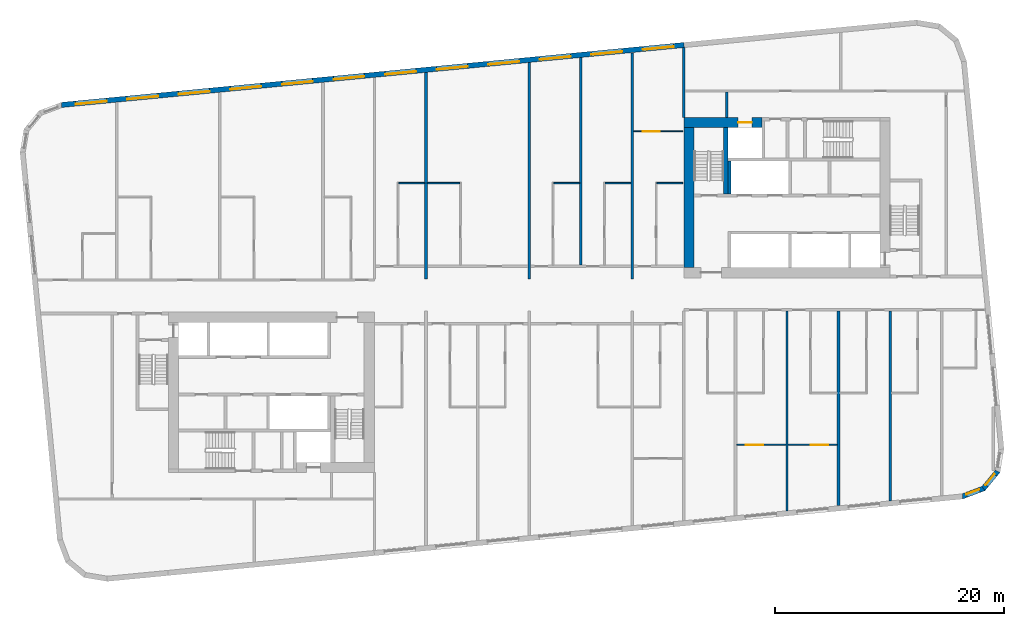
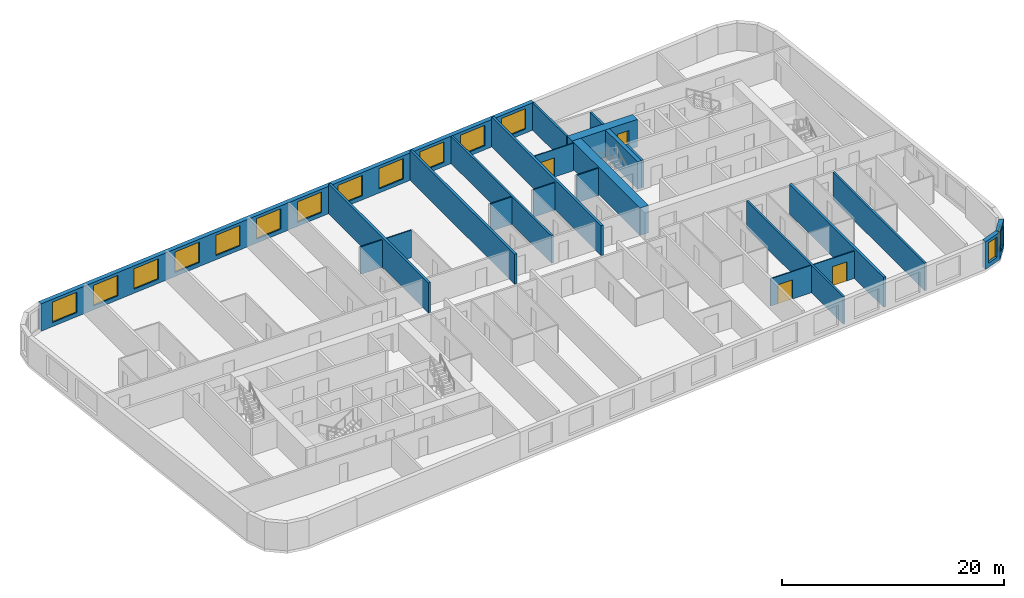
# One storey, part 6 of 12: 24 walls, 14 windows, 4 doors, 18 openings.
"""IFC4 building model written with IfcOpenShell, lengths in metres."""

from ifc_helpers import new_model, si_unit, direction, frame, frame_2d, origin, place, context, subcontext, project, spatial, polyline, rectangle, outline, extrude, material, layer, layer_set, type_object, element, fill, save


model = new_model("IFC4")

# Units and contexts
model_context = context("Model", 3, precision=1e-05, world=origin(), true_north=direction((0.0, 1.0)))
body_context = subcontext(model_context, "Body", "Model", "MODEL_VIEW")
ifc_project = project(units=[si_unit("LENGTHUNIT", "METRE"), si_unit("AREAUNIT", "SQUARE_METRE"), si_unit("VOLUMEUNIT", "CUBIC_METRE"), si_unit("PLANEANGLEUNIT", "RADIAN"), si_unit("MASSUNIT", "GRAM", prefix="KILO")], contexts=[model_context])

# Site, building, storey
site_placement = place(None, origin())
site = spatial("IfcSite", under=ifc_project, at=site_placement, CompositionType="ELEMENT")
building_placement = place(site_placement, origin())
building = spatial("IfcBuilding", under=site, at=building_placement, Name="Kajstack Hotel Tower", CompositionType="ELEMENT")
storey_placement = place(building_placement, frame((0.0, 0.0, 193.300048828125)))
storey = spatial("IfcBuildingStorey", under=building, at=storey_placement, Name="L46", CompositionType="ELEMENT", Elevation=193.300048828125)

# Wall, opening, door
ifc_material_1 = material(Name="Concrete C60/75", Category="concrete")
ifc_layer_1 = layer(ifc_material_1, 0.89990234375)
ifc_layer_set_1 = layer_set([ifc_layer_1], Name="Core wall 900")
wall_type_1 = type_object("IfcWallType", Name="Core wall 900", PredefinedType="SHEAR", material=ifc_layer_set_1)
wall_1_placement = place(storey_placement, frame((13.5, 15.050048828125, 0.0), z_axis=(0.0, 0.0, 1.0), x_axis=(1.0, 0.0, 0.0)))
wall_1 = element("IfcWall", 1, at=wall_1_placement, inside=storey, type_object=wall_type_1, Name="Core wall E RS", PredefinedType="SHEAR", context=body_context, shape_type="SweptSolid", body=[
    extrude(rectangle(XDim=6.800048828125, YDim=0.89990234375, at=frame_2d((3.39990234375, 0.0))), origin(), (0.0, 0.0, 1.0), 3.02001953125),
])
opening_1_placement = place(wall_1_placement, frame((4.72509765625, 0.0, 0.0)))
opening_1 = element("IfcOpeningElement", 2, at=opening_1_placement, cuts=wall_1, Name="Opening LD-SV2", PredefinedType="OPENING", context=body_context, shape_type="SweptSolid", body=[
    extrude(rectangle(XDim=1.199951171875, YDim=2.10009765625, at=frame_2d((0.60009765625, 1.050048828125))), frame((0.0, 0.4599609375, 0.0), z_axis=(0.0, -1.0, 0.0), x_axis=(1.0, 0.0, 0.0)), (0.0, 0.0, 1.0), 0.919921875),
])
ifc_material_2 = material(Name="Stainless steel", Category="steel")
door_type_1 = type_object("IfcDoorType", Name="Lift landing door 1200", OperationType="SLIDING_TO_LEFT", PredefinedType="DOOR", material=ifc_material_2)
door_1_placement = place(opening_1_placement, origin())
door_1 = element("IfcDoor", 3, at=door_1_placement, inside=storey, type_object=door_type_1, Name="Landing door SV2", OperationType="SLIDING_TO_LEFT", OverallHeight=2.10009765625, OverallWidth=1.199951171875, PredefinedType="DOOR", context=body_context, shape_type="SweptSolid", body=[
    extrude(rectangle(XDim=1.199951171875, YDim=2.10009765625, at=frame_2d((0.60009765625, 1.050048828125))), frame((0.0, 0.02490234375, 0.0), z_axis=(0.0, -1.0, 0.0), x_axis=(1.0, 0.0, 0.0)), (0.0, 0.0, 1.0), 0.050048828125),
])
fill(opening_1, door_1)

# Walls
wall_2_placement = place(storey_placement, frame((13.949951171875, 2.39990234375, 0.0), z_axis=(0.0, 0.0, 1.0), x_axis=(0.0, 1.0, 0.0)))
element("IfcWall", 4, at=wall_2_placement, inside=storey, type_object=wall_type_1, Name="Core wall E RE", PredefinedType="SHEAR", context=body_context, shape_type="SweptSolid", body=[
    extrude(rectangle(XDim=12.2001953125, YDim=0.89990234375, at=frame_2d((6.10009765625, 0.0))), origin(), (0.0, 0.0, 1.0), 3.02001953125),
])
ifc_material_3 = material(Name="Twin-frame gypsum board on steel studs, mineral wool", Category="steel")
ifc_layer_2 = layer(ifc_material_3, 0.199951171875)
ifc_layer_set_2 = layer_set([ifc_layer_2], Name="Demising wall 200")
wall_type_2 = type_object("IfcWallType", Name="Demising wall 200", PredefinedType="PARTITIONING", material=ifc_layer_set_2)
wall_3_placement = place(storey_placement, frame((13.5, 15.5, 0.0), z_axis=(0.0, 0.0, 1.0), x_axis=(0.0, 1.0, 0.0)))
element("IfcWall", 5, at=wall_3_placement, inside=storey, type_object=wall_type_2, Name="G-wall-L46-001", PredefinedType="PARTITIONING", context=body_context, shape_type="SweptSolid", body=[
    extrude(rectangle(XDim=6.089111328125, YDim=0.199951171875, at=frame_2d((3.04443359375, 0.0))), origin(), (0.0, 0.0, 1.0), 3.02001953125),
])
wall_4_placement = place(storey_placement, frame((4.5, 2.60009765625, 0.0), z_axis=(0.0, 0.0, 1.0), x_axis=(0.0, 1.0, 0.0)))
element("IfcWall", 6, at=wall_4_placement, inside=storey, type_object=wall_type_2, Name="G-wall-L46-018", PredefinedType="PARTITIONING", context=body_context, shape_type="SweptSolid", body=[
    extrude(rectangle(XDim=18.122802734375, YDim=0.199951171875, at=frame_2d((9.0615234375, 0.0))), origin(), (0.0, 0.0, 1.0), 3.02001953125),
])
wall_5_placement = place(storey_placement, frame((22.5, -18.833984375, 0.0), z_axis=(0.0, 0.0, 1.0), x_axis=(0.0, 1.0, 0.0)))
element("IfcWall", 7, at=wall_5_placement, inside=storey, type_object=wall_type_2, Name="G-wall-L46-043", PredefinedType="PARTITIONING", context=body_context, shape_type="SweptSolid", body=[
    extrude(rectangle(XDim=17.43408203125, YDim=0.199951171875, at=frame_2d((8.717041015625, 0.0))), origin(), (0.0, 0.0, 1.0), 3.02001953125),
])
wall_6_placement = place(storey_placement, frame((31.5, -17.967041015625, 0.0), z_axis=(0.0, 0.0, 1.0), x_axis=(0.0, 1.0, 0.0)))
element("IfcWall", 8, at=wall_6_placement, inside=storey, type_object=wall_type_2, Name="G-wall-L46-050", PredefinedType="PARTITIONING", context=body_context, shape_type="SweptSolid", body=[
    extrude(rectangle(XDim=16.567138671875, YDim=0.199951171875, at=frame_2d((8.28369140625, 0.0))), origin(), (0.0, 0.0, 1.0), 3.02001953125),
])

# Wall, opening, window
ifc_material_4 = material(Name="Terracotta-faced brick masonry", Category="masonry")
ifc_layer_3 = layer(ifc_material_4, 0.449951171875)
ifc_layer_set_3 = layer_set([ifc_layer_3], Name="EW-TERRA")
wall_type_3 = type_object("IfcWallType", Name="EW-TERRA", PredefinedType="SOLIDWALL", material=ifc_layer_set_3)
wall_7_placement = place(storey_placement, frame((37.76123046875, -17.598388671875, 0.0), z_axis=(0.0, 0.0, 1.0), x_axis=(0.936677599948, 0.350192909346, 0.0)))
wall_7 = element("IfcWall", 9, at=wall_7_placement, inside=storey, type_object=wall_type_3, Name="E-wall-L46-05-00", PredefinedType="SOLIDWALL", context=body_context, shape_type="SweptSolid", body=[
    extrude(outline(polyline([(0.0, -0.22509765625), (2.070556640625, -0.224853515625), (1.949951171875, 0.22509765625), (0.12060546875, 0.22509765625), (0.0, -0.22509765625)])), origin(), (0.0, 0.0, 1.0), 3.02001953125),
])
opening_2_placement = place(wall_7_placement, frame((0.435302734375, 0.0, 0.449951171875)))
opening_2 = element("IfcOpeningElement", 10, at=opening_2_placement, cuts=wall_7, Name="Opening W3", PredefinedType="OPENING", context=body_context, shape_type="SweptSolid", body=[
    extrude(rectangle(XDim=1.199951171875, YDim=2.25, at=frame_2d((0.60009765625, 1.125))), frame((0.0, 0.23486328125, 0.0), z_axis=(0.0, -1.0, 0.0), x_axis=(1.0, 0.0, 0.0)), (0.0, 0.0, 1.0), 0.469970703125),
])
ifc_material_5 = material(Name="Timber-aluminium window, triple glazed", Category="wood")
window_type_1 = type_object("IfcWindowType", Name="WG3", PartitioningType="SINGLE_PANEL", PredefinedType="WINDOW", material=ifc_material_5)
window_1_placement = place(opening_2_placement, origin())
window_1 = element("IfcWindow", 11, at=window_1_placement, inside=storey, type_object=window_type_1, Name="Window W3 L46-05", OverallHeight=2.25, OverallWidth=1.199951171875, PartitioningType="SINGLE_PANEL", PredefinedType="WINDOW", context=body_context, shape_type="SweptSolid", body=[
    extrude(rectangle(XDim=1.199951171875, YDim=2.25, at=frame_2d((0.60009765625, 1.125))), frame((0.0, 0.090087890625, 0.0), z_axis=(0.0, -1.0, 0.0), x_axis=(1.0, 0.0, 0.0)), (0.0, 0.0, 1.0), 0.06005859375),
])
fill(opening_2, window_1)

wall_8_placement = place(storey_placement, frame((39.60595703125, -16.94091796875, 0.0), z_axis=(0.0, 0.0, 1.0), x_axis=(0.636116318187, 0.771593176315, 0.0)))
wall_8 = element("IfcWall", 12, at=wall_8_placement, inside=storey, type_object=wall_type_3, Name="E-wall-L46-06-00", PredefinedType="SOLIDWALL", context=body_context, shape_type="SweptSolid", body=[
    extrude(outline(polyline([(0.0, -0.224853515625), (2.070556640625, -0.224853515625), (1.949951171875, 0.22509765625), (0.12060546875, 0.22509765625), (0.0, -0.224853515625)])), origin(), (0.0, 0.0, 1.0), 3.02001953125),
])
opening_3_placement = place(wall_8_placement, frame((0.435302734375, 0.0, 0.449951171875)))
opening_3 = element("IfcOpeningElement", 13, at=opening_3_placement, cuts=wall_8, Name="Opening W3", PredefinedType="OPENING", context=body_context, shape_type="SweptSolid", body=[
    extrude(rectangle(XDim=1.199951171875, YDim=2.25, at=frame_2d((0.60009765625, 1.125))), frame((0.0, 0.23486328125, 0.0), z_axis=(0.0, -1.0, 0.0), x_axis=(1.0, 0.0, 0.0)), (0.0, 0.0, 1.0), 0.469970703125),
])
window_2_placement = place(opening_3_placement, origin())
window_2 = element("IfcWindow", 14, at=window_2_placement, inside=storey, type_object=window_type_1, Name="Window W3 L46-06", OverallHeight=2.25, OverallWidth=1.199951171875, PartitioningType="SINGLE_PANEL", PredefinedType="WINDOW", context=body_context, shape_type="SweptSolid", body=[
    extrude(rectangle(XDim=1.199951171875, YDim=2.25, at=frame_2d((0.60009765625, 1.125))), frame((0.0, 0.090087890625, 0.0), z_axis=(0.0, -1.0, 0.0), x_axis=(1.0, 0.0, 0.0)), (0.0, 0.0, 1.0), 0.06005859375),
])
fill(opening_3, window_2)

# Wall, openings, windows
wall_9_placement = place(storey_placement, frame((13.521484375, 21.8173828125, 0.0), z_axis=(0.0, 0.0, 1.0), x_axis=(-0.995396508751, -0.095842529008, 0.0)))
wall_9 = element("IfcWall", 15, at=wall_9_placement, inside=storey, type_object=wall_type_3, Name="E-wall-L46-12-02", PredefinedType="SOLIDWALL", context=body_context, shape_type="SweptSolid", body=[
    extrude(rectangle(XDim=54.59130859375, YDim=0.449951171875, at=frame_2d((27.295654296875, 0.0))), origin(), (0.0, 0.0, 1.0), 3.02001953125),
])
opening_4_placement = place(wall_9_placement, frame((0.910400390625, 0.0, 0.449951171875)))
opening_4 = element("IfcOpeningElement", 16, at=opening_4_placement, cuts=wall_9, Name="Opening W1", PredefinedType="OPENING", context=body_context, shape_type="SweptSolid", body=[
    extrude(rectangle(XDim=2.699951171875, YDim=2.25, at=frame_2d((1.35009765625, 1.125))), frame((0.0, 0.23486328125, 0.0), z_axis=(0.0, -1.0, 0.0), x_axis=(1.0, 0.0, 0.0)), (0.0, 0.0, 1.0), 0.469970703125),
])
opening_5_placement = place(wall_9_placement, frame((5.43115234375, 0.0, 0.449951171875)))
opening_5 = element("IfcOpeningElement", 17, at=opening_5_placement, cuts=wall_9, Name="Opening W1", PredefinedType="OPENING", context=body_context, shape_type="SweptSolid", body=[
    extrude(rectangle(XDim=2.699951171875, YDim=2.25, at=frame_2d((1.35009765625, 1.125))), frame((0.0, 0.23486328125, 0.0), z_axis=(0.0, -1.0, 0.0), x_axis=(1.0, 0.0, 0.0)), (0.0, 0.0, 1.0), 0.469970703125),
])
opening_6_placement = place(wall_9_placement, frame((9.951904296875, 0.0, 0.449951171875)))
opening_6 = element("IfcOpeningElement", 18, at=opening_6_placement, cuts=wall_9, Name="Opening W1", PredefinedType="OPENING", context=body_context, shape_type="SweptSolid", body=[
    extrude(rectangle(XDim=2.699951171875, YDim=2.25, at=frame_2d((1.35009765625, 1.125))), frame((0.0, 0.23486328125, 0.0), z_axis=(0.0, -1.0, 0.0), x_axis=(1.0, 0.0, 0.0)), (0.0, 0.0, 1.0), 0.469970703125),
])
opening_7_placement = place(wall_9_placement, frame((14.472900390625, 0.0, 0.449951171875)))
opening_7 = element("IfcOpeningElement", 19, at=opening_7_placement, cuts=wall_9, Name="Opening W1", PredefinedType="OPENING", context=body_context, shape_type="SweptSolid", body=[
    extrude(rectangle(XDim=2.699951171875, YDim=2.25, at=frame_2d((1.35009765625, 1.125))), frame((0.0, 0.23486328125, 0.0), z_axis=(0.0, -1.0, 0.0), x_axis=(1.0, 0.0, 0.0)), (0.0, 0.0, 1.0), 0.469970703125),
])
opening_8_placement = place(wall_9_placement, frame((18.99365234375, 0.0, 0.449951171875)))
opening_8 = element("IfcOpeningElement", 20, at=opening_8_placement, cuts=wall_9, Name="Opening W1", PredefinedType="OPENING", context=body_context, shape_type="SweptSolid", body=[
    extrude(rectangle(XDim=2.699951171875, YDim=2.25, at=frame_2d((1.35009765625, 1.125))), frame((0.0, 0.23486328125, 0.0), z_axis=(0.0, -1.0, 0.0), x_axis=(1.0, 0.0, 0.0)), (0.0, 0.0, 1.0), 0.469970703125),
])
opening_9_placement = place(wall_9_placement, frame((23.514404296875, 0.0, 0.449951171875)))
opening_9 = element("IfcOpeningElement", 21, at=opening_9_placement, cuts=wall_9, Name="Opening W1", PredefinedType="OPENING", context=body_context, shape_type="SweptSolid", body=[
    extrude(rectangle(XDim=2.699951171875, YDim=2.25, at=frame_2d((1.35009765625, 1.125))), frame((0.0, 0.23486328125, 0.0), z_axis=(0.0, -1.0, 0.0), x_axis=(1.0, 0.0, 0.0)), (0.0, 0.0, 1.0), 0.469970703125),
])
opening_10_placement = place(wall_9_placement, frame((28.03515625, 0.0, 0.449951171875)))
opening_10 = element("IfcOpeningElement", 22, at=opening_10_placement, cuts=wall_9, Name="Opening W1", PredefinedType="OPENING", context=body_context, shape_type="SweptSolid", body=[
    extrude(rectangle(XDim=2.699951171875, YDim=2.25, at=frame_2d((1.35009765625, 1.125))), frame((0.0, 0.23486328125, 0.0), z_axis=(0.0, -1.0, 0.0), x_axis=(1.0, 0.0, 0.0)), (0.0, 0.0, 1.0), 0.469970703125),
])
opening_11_placement = place(wall_9_placement, frame((32.555908203125, 0.0, 0.449951171875)))
opening_11 = element("IfcOpeningElement", 23, at=opening_11_placement, cuts=wall_9, Name="Opening W1", PredefinedType="OPENING", context=body_context, shape_type="SweptSolid", body=[
    extrude(rectangle(XDim=2.699951171875, YDim=2.25, at=frame_2d((1.35009765625, 1.125))), frame((0.0, 0.23486328125, 0.0), z_axis=(0.0, -1.0, 0.0), x_axis=(1.0, 0.0, 0.0)), (0.0, 0.0, 1.0), 0.469970703125),
])
opening_12_placement = place(wall_9_placement, frame((37.076904296875, 0.0, 0.449951171875)))
opening_12 = element("IfcOpeningElement", 24, at=opening_12_placement, cuts=wall_9, Name="Opening W1", PredefinedType="OPENING", context=body_context, shape_type="SweptSolid", body=[
    extrude(rectangle(XDim=2.699951171875, YDim=2.25, at=frame_2d((1.35009765625, 1.125))), frame((0.0, 0.23486328125, 0.0), z_axis=(0.0, -1.0, 0.0), x_axis=(1.0, 0.0, 0.0)), (0.0, 0.0, 1.0), 0.469970703125),
])
opening_13_placement = place(wall_9_placement, frame((41.59765625, 0.0, 0.449951171875)))
opening_13 = element("IfcOpeningElement", 25, at=opening_13_placement, cuts=wall_9, Name="Opening W1", PredefinedType="OPENING", context=body_context, shape_type="SweptSolid", body=[
    extrude(rectangle(XDim=2.699951171875, YDim=2.25, at=frame_2d((1.35009765625, 1.125))), frame((0.0, 0.23486328125, 0.0), z_axis=(0.0, -1.0, 0.0), x_axis=(1.0, 0.0, 0.0)), (0.0, 0.0, 1.0), 0.469970703125),
])
opening_14_placement = place(wall_9_placement, frame((46.118408203125, 0.0, 0.449951171875)))
opening_14 = element("IfcOpeningElement", 26, at=opening_14_placement, cuts=wall_9, Name="Opening W1", PredefinedType="OPENING", context=body_context, shape_type="SweptSolid", body=[
    extrude(rectangle(XDim=2.699951171875, YDim=2.25, at=frame_2d((1.35009765625, 1.125))), frame((0.0, 0.23486328125, 0.0), z_axis=(0.0, -1.0, 0.0), x_axis=(1.0, 0.0, 0.0)), (0.0, 0.0, 1.0), 0.469970703125),
])
opening_15_placement = place(wall_9_placement, frame((50.62890625, 0.0, 0.449951171875)))
opening_15 = element("IfcOpeningElement", 27, at=opening_15_placement, cuts=wall_9, Name="Opening W1", PredefinedType="OPENING", context=body_context, shape_type="SweptSolid", body=[
    extrude(rectangle(XDim=2.699951171875, YDim=2.25, at=frame_2d((1.35009765625, 1.125))), frame((0.0, 0.23486328125, 0.0), z_axis=(0.0, -1.0, 0.0), x_axis=(1.0, 0.0, 0.0)), (0.0, 0.0, 1.0), 0.469970703125),
])
window_type_2 = type_object("IfcWindowType", Name="WG1", PartitioningType="SINGLE_PANEL", PredefinedType="WINDOW", material=ifc_material_5)
window_3_placement = place(opening_4_placement, origin())
window_3 = element("IfcWindow", 28, at=window_3_placement, inside=storey, type_object=window_type_2, Name="Window W1 L46-12", OverallHeight=2.25, OverallWidth=2.699951171875, PartitioningType="SINGLE_PANEL", PredefinedType="WINDOW", context=body_context, shape_type="SweptSolid", body=[
    extrude(rectangle(XDim=2.699951171875, YDim=2.25, at=frame_2d((1.35009765625, 1.125))), frame((0.0, 0.090087890625, 0.0), z_axis=(0.0, -1.0, 0.0), x_axis=(1.0, 0.0, 0.0)), (0.0, 0.0, 1.0), 0.06005859375),
])
fill(opening_4, window_3)
window_4_placement = place(opening_5_placement, origin())
window_4 = element("IfcWindow", 29, at=window_4_placement, inside=storey, type_object=window_type_2, Name="Window W1 L46-12", OverallHeight=2.25, OverallWidth=2.699951171875, PartitioningType="SINGLE_PANEL", PredefinedType="WINDOW", context=body_context, shape_type="SweptSolid", body=[
    extrude(rectangle(XDim=2.699951171875, YDim=2.25, at=frame_2d((1.35009765625, 1.125))), frame((0.0, 0.090087890625, 0.0), z_axis=(0.0, -1.0, 0.0), x_axis=(1.0, 0.0, 0.0)), (0.0, 0.0, 1.0), 0.06005859375),
])
fill(opening_5, window_4)
window_5_placement = place(opening_6_placement, origin())
window_5 = element("IfcWindow", 30, at=window_5_placement, inside=storey, type_object=window_type_2, Name="Window W1 L46-12", OverallHeight=2.25, OverallWidth=2.699951171875, PartitioningType="SINGLE_PANEL", PredefinedType="WINDOW", context=body_context, shape_type="SweptSolid", body=[
    extrude(rectangle(XDim=2.699951171875, YDim=2.25, at=frame_2d((1.35009765625, 1.125))), frame((0.0, 0.090087890625, 0.0), z_axis=(0.0, -1.0, 0.0), x_axis=(1.0, 0.0, 0.0)), (0.0, 0.0, 1.0), 0.06005859375),
])
fill(opening_6, window_5)
window_6_placement = place(opening_7_placement, origin())
window_6 = element("IfcWindow", 31, at=window_6_placement, inside=storey, type_object=window_type_2, Name="Window W1 L46-12", OverallHeight=2.25, OverallWidth=2.699951171875, PartitioningType="SINGLE_PANEL", PredefinedType="WINDOW", context=body_context, shape_type="SweptSolid", body=[
    extrude(rectangle(XDim=2.699951171875, YDim=2.25, at=frame_2d((1.35009765625, 1.125))), frame((0.0, 0.090087890625, 0.0), z_axis=(0.0, -1.0, 0.0), x_axis=(1.0, 0.0, 0.0)), (0.0, 0.0, 1.0), 0.06005859375),
])
fill(opening_7, window_6)
window_7_placement = place(opening_8_placement, origin())
window_7 = element("IfcWindow", 32, at=window_7_placement, inside=storey, type_object=window_type_2, Name="Window W1 L46-12", OverallHeight=2.25, OverallWidth=2.699951171875, PartitioningType="SINGLE_PANEL", PredefinedType="WINDOW", context=body_context, shape_type="SweptSolid", body=[
    extrude(rectangle(XDim=2.699951171875, YDim=2.25, at=frame_2d((1.35009765625, 1.125))), frame((0.0, 0.090087890625, 0.0), z_axis=(0.0, -1.0, 0.0), x_axis=(1.0, 0.0, 0.0)), (0.0, 0.0, 1.0), 0.06005859375),
])
fill(opening_8, window_7)
window_8_placement = place(opening_9_placement, origin())
window_8 = element("IfcWindow", 33, at=window_8_placement, inside=storey, type_object=window_type_2, Name="Window W1 L46-12", OverallHeight=2.25, OverallWidth=2.699951171875, PartitioningType="SINGLE_PANEL", PredefinedType="WINDOW", context=body_context, shape_type="SweptSolid", body=[
    extrude(rectangle(XDim=2.699951171875, YDim=2.25, at=frame_2d((1.35009765625, 1.125))), frame((0.0, 0.090087890625, 0.0), z_axis=(0.0, -1.0, 0.0), x_axis=(1.0, 0.0, 0.0)), (0.0, 0.0, 1.0), 0.06005859375),
])
fill(opening_9, window_8)
window_9_placement = place(opening_10_placement, origin())
window_9 = element("IfcWindow", 34, at=window_9_placement, inside=storey, type_object=window_type_2, Name="Window W1 L46-12", OverallHeight=2.25, OverallWidth=2.699951171875, PartitioningType="SINGLE_PANEL", PredefinedType="WINDOW", context=body_context, shape_type="SweptSolid", body=[
    extrude(rectangle(XDim=2.699951171875, YDim=2.25, at=frame_2d((1.35009765625, 1.125))), frame((0.0, 0.090087890625, 0.0), z_axis=(0.0, -1.0, 0.0), x_axis=(1.0, 0.0, 0.0)), (0.0, 0.0, 1.0), 0.06005859375),
])
fill(opening_10, window_9)
window_10_placement = place(opening_11_placement, origin())
window_10 = element("IfcWindow", 35, at=window_10_placement, inside=storey, type_object=window_type_2, Name="Window W1 L46-12", OverallHeight=2.25, OverallWidth=2.699951171875, PartitioningType="SINGLE_PANEL", PredefinedType="WINDOW", context=body_context, shape_type="SweptSolid", body=[
    extrude(rectangle(XDim=2.699951171875, YDim=2.25, at=frame_2d((1.35009765625, 1.125))), frame((0.0, 0.090087890625, 0.0), z_axis=(0.0, -1.0, 0.0), x_axis=(1.0, 0.0, 0.0)), (0.0, 0.0, 1.0), 0.06005859375),
])
fill(opening_11, window_10)
window_11_placement = place(opening_12_placement, origin())
window_11 = element("IfcWindow", 36, at=window_11_placement, inside=storey, type_object=window_type_2, Name="Window W1 L46-12", OverallHeight=2.25, OverallWidth=2.699951171875, PartitioningType="SINGLE_PANEL", PredefinedType="WINDOW", context=body_context, shape_type="SweptSolid", body=[
    extrude(rectangle(XDim=2.699951171875, YDim=2.25, at=frame_2d((1.35009765625, 1.125))), frame((0.0, 0.090087890625, 0.0), z_axis=(0.0, -1.0, 0.0), x_axis=(1.0, 0.0, 0.0)), (0.0, 0.0, 1.0), 0.06005859375),
])
fill(opening_12, window_11)
window_12_placement = place(opening_13_placement, origin())
window_12 = element("IfcWindow", 37, at=window_12_placement, inside=storey, type_object=window_type_2, Name="Window W1 L46-12", OverallHeight=2.25, OverallWidth=2.699951171875, PartitioningType="SINGLE_PANEL", PredefinedType="WINDOW", context=body_context, shape_type="SweptSolid", body=[
    extrude(rectangle(XDim=2.699951171875, YDim=2.25, at=frame_2d((1.35009765625, 1.125))), frame((0.0, 0.090087890625, 0.0), z_axis=(0.0, -1.0, 0.0), x_axis=(1.0, 0.0, 0.0)), (0.0, 0.0, 1.0), 0.06005859375),
])
fill(opening_13, window_12)
window_13_placement = place(opening_14_placement, origin())
window_13 = element("IfcWindow", 38, at=window_13_placement, inside=storey, type_object=window_type_2, Name="Window W1 L46-12", OverallHeight=2.25, OverallWidth=2.699951171875, PartitioningType="SINGLE_PANEL", PredefinedType="WINDOW", context=body_context, shape_type="SweptSolid", body=[
    extrude(rectangle(XDim=2.699951171875, YDim=2.25, at=frame_2d((1.35009765625, 1.125))), frame((0.0, 0.090087890625, 0.0), z_axis=(0.0, -1.0, 0.0), x_axis=(1.0, 0.0, 0.0)), (0.0, 0.0, 1.0), 0.06005859375),
])
fill(opening_14, window_13)
window_14_placement = place(opening_15_placement, origin())
window_14 = element("IfcWindow", 39, at=window_14_placement, inside=storey, type_object=window_type_2, Name="Window W1 L46-12", OverallHeight=2.25, OverallWidth=2.699951171875, PartitioningType="SINGLE_PANEL", PredefinedType="WINDOW", context=body_context, shape_type="SweptSolid", body=[
    extrude(rectangle(XDim=2.699951171875, YDim=2.25, at=frame_2d((1.35009765625, 1.125))), frame((0.0, 0.090087890625, 0.0), z_axis=(0.0, -1.0, 0.0), x_axis=(1.0, 0.0, 0.0)), (0.0, 0.0, 1.0), 0.06005859375),
])
fill(opening_15, window_14)

# Walls
ifc_material_6 = material(Name="Gypsum board and tiled backer on steel studs", Category="steel")
ifc_layer_4 = layer(ifc_material_6, 0.125)
ifc_layer_set_4 = layer_set([ifc_layer_4], Name="En-suite wall 125")
wall_type_4 = type_object("IfcWallType", Name="En-suite wall 125", PredefinedType="PARTITIONING", material=ifc_layer_set_4)
wall_10_placement = place(storey_placement, frame((-11.375, 9.761962890625, 0.0), z_axis=(0.0, 0.0, 1.0), x_axis=(1.0, 0.0, 0.0)))
element("IfcWall", 40, at=wall_10_placement, inside=storey, type_object=wall_type_4, Name="G-wall-L46-015", PredefinedType="PARTITIONING", context=body_context, shape_type="SweptSolid", body=[
    extrude(rectangle(XDim=2.25, YDim=0.125, at=frame_2d((1.125, 0.0))), origin(), (0.0, 0.0, 1.0), 3.02001953125),
])
wall_11_placement = place(storey_placement, frame((-8.875, 9.761962890625, 0.0), z_axis=(0.0, 0.0, 1.0), x_axis=(1.0, 0.0, 0.0)))
element("IfcWall", 41, at=wall_11_placement, inside=storey, type_object=wall_type_4, Name="G-wall-L46-017", PredefinedType="PARTITIONING", context=body_context, shape_type="SweptSolid", body=[
    extrude(rectangle(XDim=2.800048828125, YDim=0.125, at=frame_2d((1.39990234375, 0.0))), origin(), (0.0, 0.0, 1.0), 3.02001953125),
])
for number, where, z_axis, x_axis, name in (
    (42, (2.14990234375, 9.761962890625, 0.0), (0.0, 0.0, 1.0), (1.0, 0.0, 0.0), "G-wall-L46-020"),
    (43, (6.625, 9.761962890625, 0.0), (0.0, 0.0, 1.0), (1.0, 0.0, 0.0), "G-wall-L46-022"),
    (44, (11.14990234375, 9.761962890625, 0.0), (0.0, 0.0, 1.0), (1.0, 0.0, 0.0), "G-wall-L46-024"),
):
    element("IfcWall", number, at=place(storey_placement, frame(where, z_axis=z_axis, x_axis=x_axis)), inside=storey, type_object=wall_type_4, Name=name, PredefinedType="PARTITIONING", context=body_context, shape_type="SweptSolid", body=[
        extrude(rectangle(XDim=2.25, YDim=0.125, at=frame_2d((1.125, 0.0))), origin(), (0.0, 0.0, 1.0), 3.02001953125),
    ])

# Wall, opening, door
ifc_material_7 = material(Name="Gypsum board on steel studs", Category="steel")
ifc_layer_5 = layer(ifc_material_7, 0.10009765625)
ifc_layer_set_5 = layer_set([ifc_layer_5], Name="Partition 100")
wall_type_5 = type_object("IfcWallType", Name="Partition 100", PredefinedType="PARTITIONING", material=ifc_layer_set_5)
wall_12_placement = place(storey_placement, frame((9.125, 14.27490234375, 0.0), z_axis=(0.0, 0.0, 1.0), x_axis=(1.0, 0.0, 0.0)))
wall_12 = element("IfcWall", 45, at=wall_12_placement, inside=storey, type_object=wall_type_5, Name="G-wall-L46-025", PredefinedType="PARTITIONING", context=body_context, shape_type="SweptSolid", body=[
    extrude(rectangle(XDim=4.27490234375, YDim=0.10009765625, at=frame_2d((2.137451171875, 0.0))), origin(), (0.0, 0.0, 1.0), 3.02001953125),
])
opening_16_placement = place(wall_12_placement, frame((0.787109375, 0.0, 0.0)))
opening_16 = element("IfcOpeningElement", 46, at=opening_16_placement, cuts=wall_12, Name="Opening 46019", PredefinedType="OPENING", context=body_context, shape_type="SweptSolid", body=[
    extrude(rectangle(XDim=1.5, YDim=2.10009765625, at=frame_2d((0.75, 1.050048828125))), frame((0.0, 0.06005859375, 0.0), z_axis=(0.0, -1.0, 0.0), x_axis=(1.0, 0.0, 0.0)), (0.0, 0.0, 1.0), 0.1201171875),
])
ifc_material_8 = material(Name="Painted timber door leaves, glazed panels", Category="wood")
door_type_2 = type_object("IfcDoorType", Name="Double door 1500", OperationType="SINGLE_SWING_LEFT", PredefinedType="DOOR", material=ifc_material_8)
door_2_placement = place(opening_16_placement, origin())
door_2 = element("IfcDoor", 47, at=door_2_placement, inside=storey, type_object=door_type_2, Name="G-door-L46-19", OperationType="SINGLE_SWING_RIGHT", OverallHeight=2.10009765625, OverallWidth=1.5, PredefinedType="DOOR", context=body_context, shape_type="SweptSolid", body=[
    extrude(rectangle(XDim=1.5, YDim=2.10009765625, at=frame_2d((0.75, 1.050048828125))), frame((0.0, 0.02490234375, 0.0), z_axis=(0.0, -1.0, 0.0), x_axis=(1.0, 0.0, 0.0)), (0.0, 0.0, 1.0), 0.050048828125),
])
fill(opening_16, door_2)

wall_13_placement = place(storey_placement, frame((18.125, -13.074951171875, 0.0), z_axis=(0.0, 0.0, 1.0), x_axis=(1.0, 0.0, 0.0)))
wall_13 = element("IfcWall", 48, at=wall_13_placement, inside=storey, type_object=wall_type_5, Name="G-wall-L46-046", PredefinedType="PARTITIONING", context=body_context, shape_type="SweptSolid", body=[
    extrude(rectangle(XDim=4.27490234375, YDim=0.10009765625, at=frame_2d((2.137451171875, 0.0))), origin(), (0.0, 0.0, 1.0), 3.02001953125),
])
opening_17_placement = place(wall_13_placement, frame((0.787109375, 0.0, 0.0)))
opening_17 = element("IfcOpeningElement", 49, at=opening_17_placement, cuts=wall_13, Name="Opening 46035", PredefinedType="OPENING", context=body_context, shape_type="SweptSolid", body=[
    extrude(rectangle(XDim=1.5, YDim=2.10009765625, at=frame_2d((0.75, 1.050048828125))), frame((0.0, 0.06005859375, 0.0), z_axis=(0.0, -1.0, 0.0), x_axis=(1.0, 0.0, 0.0)), (0.0, 0.0, 1.0), 0.1201171875),
])
door_3_placement = place(opening_17_placement, origin())
door_3 = element("IfcDoor", 50, at=door_3_placement, inside=storey, type_object=door_type_2, Name="G-door-L46-35", OperationType="SINGLE_SWING_LEFT", OverallHeight=2.10009765625, OverallWidth=1.5, PredefinedType="DOOR", context=body_context, shape_type="SweptSolid", body=[
    extrude(rectangle(XDim=1.5, YDim=2.10009765625, at=frame_2d((0.75, 1.050048828125))), frame((0.0, 0.02490234375, 0.0), z_axis=(0.0, -1.0, 0.0), x_axis=(1.0, 0.0, 0.0)), (0.0, 0.0, 1.0), 0.050048828125),
])
fill(opening_17, door_3)

wall_14_placement = place(storey_placement, frame((22.60009765625, -13.074951171875, 0.0), z_axis=(0.0, 0.0, 1.0), x_axis=(1.0, 0.0, 0.0)))
wall_14 = element("IfcWall", 51, at=wall_14_placement, inside=storey, type_object=wall_type_5, Name="G-wall-L46-049", PredefinedType="PARTITIONING", context=body_context, shape_type="SweptSolid", body=[
    extrude(rectangle(XDim=4.27490234375, YDim=0.10009765625, at=frame_2d((2.137451171875, 0.0))), origin(), (0.0, 0.0, 1.0), 3.02001953125),
])
opening_18_placement = place(wall_14_placement, frame((1.988037109375, 0.0, 0.0)))
opening_18 = element("IfcOpeningElement", 52, at=opening_18_placement, cuts=wall_14, Name="Opening 46038", PredefinedType="OPENING", context=body_context, shape_type="SweptSolid", body=[
    extrude(rectangle(XDim=1.5, YDim=2.10009765625, at=frame_2d((0.75, 1.050048828125))), frame((0.0, 0.06005859375, 0.0), z_axis=(0.0, -1.0, 0.0), x_axis=(1.0, 0.0, 0.0)), (0.0, 0.0, 1.0), 0.1201171875),
])
door_4_placement = place(opening_18_placement, origin())
door_4 = element("IfcDoor", 53, at=door_4_placement, inside=storey, type_object=door_type_2, Name="G-door-L46-38", OperationType="SINGLE_SWING_LEFT", OverallHeight=2.10009765625, OverallWidth=1.5, PredefinedType="DOOR", context=body_context, shape_type="SweptSolid", body=[
    extrude(rectangle(XDim=1.5, YDim=2.10009765625, at=frame_2d((0.75, 1.050048828125))), frame((0.0, 0.02490234375, 0.0), z_axis=(0.0, -1.0, 0.0), x_axis=(1.0, 0.0, 0.0)), (0.0, 0.0, 1.0), 0.050048828125),
])
fill(opening_18, door_4)

# Walls
ifc_material_9 = material(Name="Concrete C50/60", Category="concrete")
ifc_layer_6 = layer(ifc_material_9, 0.25)
ifc_layer_set_6 = layer_set([ifc_layer_6], Name="RC cross wall 250 C50/60")
wall_type_6 = type_object("IfcWallType", Name="RC cross wall 250 C50/60", PredefinedType="SHEAR", material=ifc_layer_set_6)
wall_15_placement = place(storey_placement, frame((-9.0, 1.39990234375, 0.0), z_axis=(0.0, 0.0, 1.0), x_axis=(0.0, 1.0, 0.0)))
element("IfcWall", 54, at=wall_15_placement, inside=storey, type_object=wall_type_6, Name="S-wall-L46-05", PredefinedType="SHEAR", context=body_context, shape_type="SweptSolid", body=[
    extrude(rectangle(XDim=18.0009765625, YDim=0.25, at=frame_2d((9.00048828125, 0.0))), origin(), (0.0, 0.0, 1.0), 3.300048828125),
])
wall_16_placement = place(storey_placement, frame((0.0, 1.39990234375, 0.0), z_axis=(0.0, 0.0, 1.0), x_axis=(0.0, 1.0, 0.0)))
element("IfcWall", 55, at=wall_16_placement, inside=storey, type_object=wall_type_6, Name="S-wall-L46-07", PredefinedType="SHEAR", context=body_context, shape_type="SweptSolid", body=[
    extrude(rectangle(XDim=18.867431640625, YDim=0.25, at=frame_2d((9.43359375, 0.0))), origin(), (0.0, 0.0, 1.0), 3.300048828125),
])
wall_17_placement = place(storey_placement, frame((9.0, 1.39990234375, 0.0), z_axis=(0.0, 0.0, 1.0), x_axis=(0.0, 1.0, 0.0)))
element("IfcWall", 56, at=wall_17_placement, inside=storey, type_object=wall_type_6, Name="S-wall-L46-09", PredefinedType="SHEAR", context=body_context, shape_type="SweptSolid", body=[
    extrude(rectangle(XDim=19.734130859375, YDim=0.25, at=frame_2d((9.8671875, 0.0))), origin(), (0.0, 0.0, 1.0), 3.300048828125),
])
wall_18_placement = place(storey_placement, frame((27.0, -18.378662109375, 0.0), z_axis=(0.0, 0.0, 1.0), x_axis=(0.0, 1.0, 0.0)))
element("IfcWall", 57, at=wall_18_placement, inside=storey, type_object=wall_type_6, Name="S-wall-L46-11", PredefinedType="SHEAR", context=body_context, shape_type="SweptSolid", body=[
    extrude(rectangle(XDim=16.978759765625, YDim=0.25, at=frame_2d((8.4892578125, 0.0))), origin(), (0.0, 0.0, 1.0), 3.300048828125),
])
ifc_material_10 = material(Name="Gypsum board on steel studs, mineral wool", Category="steel")
ifc_layer_7 = layer(ifc_material_10, 0.199951171875)
ifc_layer_set_7 = layer_set([ifc_layer_7], Name="Service partition 200")
wall_type_7 = type_object("IfcWallType", Name="Service partition 200", PredefinedType="PARTITIONING", material=ifc_layer_set_7)
wall_19_placement = place(storey_placement, frame((17.25, 15.5, 0.0), z_axis=(0.0, 0.0, 1.0), x_axis=(0.0, 1.0, 0.0)))
element("IfcWall", 58, at=wall_19_placement, inside=storey, type_object=wall_type_7, Name="Partition E SCE", PredefinedType="PARTITIONING", context=body_context, shape_type="SweptSolid", body=[
    extrude(rectangle(XDim=2.199951171875, YDim=0.199951171875, at=frame_2d((1.10009765625, 0.0))), origin(), (0.0, 0.0, 1.0), 3.02001953125),
])
ifc_layer_8 = layer(ifc_material_9, 0.25)
ifc_layer_set_8 = layer_set([ifc_layer_8], Name="Shaft wall 250")
wall_type_8 = type_object("IfcWallType", Name="Shaft wall 250", PredefinedType="SHEAR", material=ifc_layer_set_8)
wall_20_placement = place(storey_placement, frame((17.47509765625, 8.800048828125, 0.0), z_axis=(0.0, 0.0, 1.0), x_axis=(0.0, 1.0, 0.0)))
element("IfcWall", 59, at=wall_20_placement, inside=storey, type_object=wall_type_8, Name="Core wall E BE", PredefinedType="SHEAR", context=body_context, shape_type="SweptSolid", body=[
    extrude(rectangle(XDim=2.89990234375, YDim=0.25, at=frame_2d((1.449951171875, 0.0))), origin(), (0.0, 0.0, 1.0), 3.02001953125),
])
ifc_layer_9 = layer(ifc_material_9, 0.39990234375)
ifc_layer_set_9 = layer_set([ifc_layer_9], Name="Stair wall 400")
wall_type_9 = type_object("IfcWallType", Name="Stair wall 400", PredefinedType="SHEAR", material=ifc_layer_set_9)
wall_21_placement = place(storey_placement, frame((17.14990234375, 8.800048828125, 0.0), z_axis=(0.0, 0.0, 1.0), x_axis=(0.0, 1.0, 0.0)))
element("IfcWall", 60, at=wall_21_placement, inside=storey, type_object=wall_type_9, Name="Core wall E WW2", PredefinedType="SHEAR", context=body_context, shape_type="SweptSolid", body=[
    extrude(rectangle(XDim=5.800048828125, YDim=0.39990234375, at=frame_2d((2.89990234375, 0.0))), origin(), (0.0, 0.0, 1.0), 3.02001953125),
])

save(model, "model.ifc")
